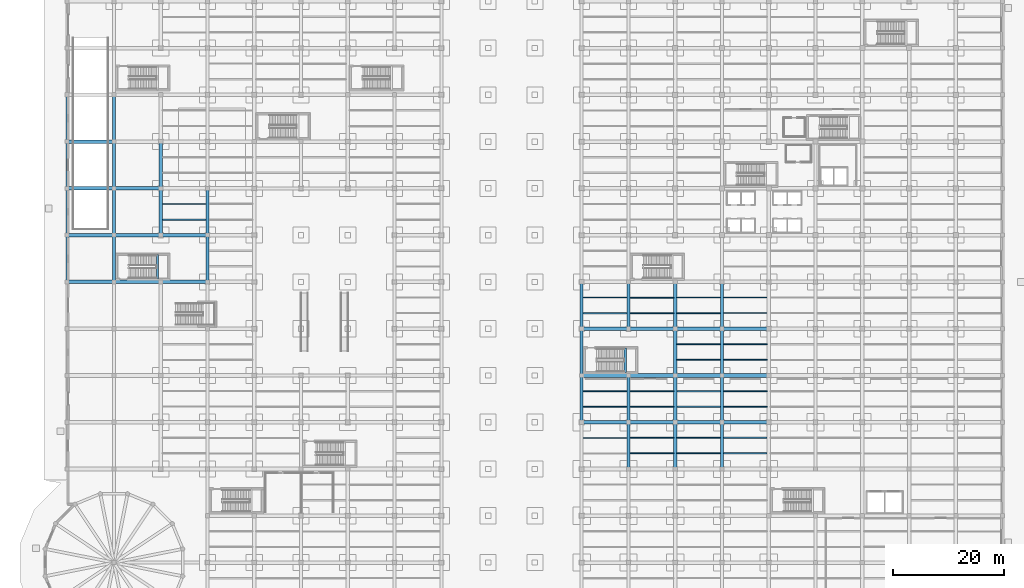
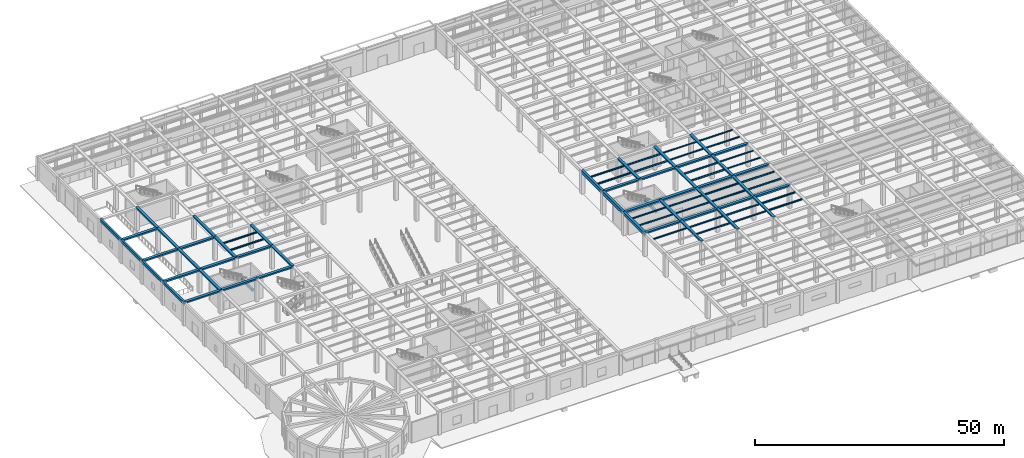
# One storey, part 7 of 43: 78 beams.
"""IFC4 building model written with IfcOpenShell, lengths in metres."""

from ifc_helpers import new_model, si_unit, direction, frame, origin, origin_2d, place, context, subcontext, project, spatial, rectangle, i_section, extrude, material, material_profile, profile_set, type_object, element, save


model = new_model("IFC4")

# Units and contexts
model_context = context("Model", 3, precision=1e-05, world=origin(), true_north=direction((0.0, 1.0)))
body_context = subcontext(model_context, "Body", "Model", "MODEL_VIEW")
ifc_project = project(units=[si_unit("LENGTHUNIT", "METRE"), si_unit("AREAUNIT", "SQUARE_METRE"), si_unit("VOLUMEUNIT", "CUBIC_METRE"), si_unit("PLANEANGLEUNIT", "RADIAN"), si_unit("MASSUNIT", "GRAM", prefix="KILO")], contexts=[model_context])

# Site, building, storey
site_placement = place(None, origin())
site = spatial("IfcSite", under=ifc_project, at=site_placement, CompositionType="ELEMENT")
building_placement = place(site_placement, origin())
building = spatial("IfcBuilding", under=site, at=building_placement, Name="Almacenes y Pasaje Nevantli", CompositionType="ELEMENT")
storey_placement = place(building_placement, origin())
storey = spatial("IfcBuildingStorey", under=building, at=storey_placement, Name="L01", CompositionType="ELEMENT", Elevation=0.0)

# Beams
ifc_material_1 = material(Name="Concrete C35/45", Category="concrete")
ifc_material_profile_1 = material_profile(ifc_material_1, rectangle(XDim=0.39990234375, YDim=0.60009765625, at=origin_2d()), Name="RC-BM-400x600")
ifc_profile_set_1 = profile_set([ifc_material_profile_1], Name="Concrete C35/45")
beam_type_1 = type_object("IfcBeamType", Name="BM-RC-400x600", PredefinedType="SPANDREL", material=ifc_profile_set_1)
for number, where, z_axis, x_axis, name in (
    (1, (100.22998046875, 42.5, 2.5), (0.0, 1.0, 0.0), (-1.0, 0.0, 0.0), "L01 Stair ST-08 Half-Landing Support Beam"),
    (2, (16.22998046875, 59.300048828125, 2.5), (0.0, 1.0, 0.0), (-1.0, 0.0, 0.0), "L01 Stair ST-12 Half-Landing Support Beam"),
):
    element("IfcBeam", number, at=place(storey_placement, frame(where, z_axis=z_axis, x_axis=x_axis)), inside=storey, type_object=beam_type_1, Name=name, PredefinedType="SPANDREL", context=body_context, shape_type="SweptSolid", body=[
        extrude(rectangle(XDim=0.39990234375, YDim=0.60009765625, at=origin_2d()), origin(), (0.0, 0.0, 1.0), 4.449951171875),
    ])
ifc_material_2 = material(Name="Concrete C35/45", Category="concrete")
ifc_material_profile_2 = material_profile(ifc_material_2, rectangle(XDim=0.449951171875, YDim=0.699951171875, at=origin_2d()), Name="RC-BM-450x700")
ifc_profile_set_2 = profile_set([ifc_material_profile_2], Name="Concrete C35/45")
beam_type_2 = type_object("IfcBeamType", Name="BM-RC-450x700", PredefinedType="SPANDREL", material=ifc_profile_set_2)
beam_1_placement = place(storey_placement, frame((0.0, 58.800048828125, 5.35009765625), z_axis=(0.0, 1.0, 0.0), x_axis=(-1.0, 0.0, 0.0)))
element("IfcBeam", 3, at=beam_1_placement, inside=storey, type_object=beam_type_2, Name="L01 North-South Reinforced Concrete Beam #1456", PredefinedType="SPANDREL", context=body_context, shape_type="SweptSolid", body=[
    extrude(rectangle(XDim=0.449951171875, YDim=0.699951171875, at=origin_2d()), origin(), (0.0, 0.0, 1.0), 8.39990234375),
])
beam_2_placement = place(storey_placement, frame((0.0, 67.199951171875, 5.35009765625), z_axis=(0.0, 1.0, 0.0), x_axis=(-1.0, 0.0, 0.0)))
element("IfcBeam", 4, at=beam_2_placement, inside=storey, type_object=beam_type_2, Name="L01 North-South Reinforced Concrete Beam #1457", PredefinedType="SPANDREL", context=body_context, shape_type="SweptSolid", body=[
    extrude(rectangle(XDim=0.449951171875, YDim=0.699951171875, at=origin_2d()), origin(), (0.0, 0.0, 1.0), 8.400146484375),
])
for number, where, z_axis, x_axis, name in (
    (5, (0.0, 75.60009765625, 5.35009765625), (0.0, 1.0, 0.0), (-1.0, 0.0, 0.0), "L01 North-South Reinforced Concrete Beam #1458"),
    (6, (0.0, 84.0, 5.35009765625), (0.0, 1.0, 0.0), (-1.0, 0.0, 0.0), "L01 North-South Reinforced Concrete Beam #1459"),
):
    element("IfcBeam", number, at=place(storey_placement, frame(where, z_axis=z_axis, x_axis=x_axis)), inside=storey, type_object=beam_type_2, Name=name, PredefinedType="SPANDREL", context=body_context, shape_type="SweptSolid", body=[
        extrude(rectangle(XDim=0.449951171875, YDim=0.699951171875, at=origin_2d()), origin(), (0.0, 0.0, 1.0), 8.39990234375),
    ])
ifc_material_3 = material(Name="Concrete C35/45", Category="concrete")
ifc_material_profile_3 = material_profile(ifc_material_3, rectangle(XDim=0.550048828125, YDim=0.800048828125, at=origin_2d()), Name="RC-BM-550x800")
ifc_profile_set_3 = profile_set([ifc_material_profile_3], Name="Concrete C35/45")
beam_type_3 = type_object("IfcBeamType", Name="BM-RC-550x800", PredefinedType="BEAM", material=ifc_profile_set_3)
for number, where, z_axis, x_axis, name in (
    (7, (92.39990234375, 33.60009765625, 5.300048828125), (0.0, 1.0, 0.0), (-1.0, 0.0, 0.0), "L01 North-South Reinforced Concrete Beam #1559"),
    (8, (92.39990234375, 42.0, 5.300048828125), (0.0, 1.0, 0.0), (-1.0, 0.0, 0.0), "L01 North-South Reinforced Concrete Beam #1560"),
):
    element("IfcBeam", number, at=place(storey_placement, frame(where, z_axis=z_axis, x_axis=x_axis)), inside=storey, type_object=beam_type_3, Name=name, PredefinedType="BEAM", context=body_context, shape_type="SweptSolid", body=[
        extrude(rectangle(XDim=0.550048828125, YDim=0.800048828125, at=origin_2d()), origin(), (0.0, 0.0, 1.0), 8.39990234375),
    ])
beam_3_placement = place(storey_placement, frame((92.39990234375, 50.39990234375, 5.300048828125), z_axis=(0.0, 1.0, 0.0), x_axis=(-1.0, 0.0, 0.0)))
element("IfcBeam", 9, at=beam_3_placement, inside=storey, type_object=beam_type_3, Name="L01 North-South Reinforced Concrete Beam #1561", PredefinedType="BEAM", context=body_context, shape_type="SweptSolid", body=[
    extrude(rectangle(XDim=0.550048828125, YDim=0.800048828125, at=origin_2d()), origin(), (0.0, 0.0, 1.0), 8.400146484375),
])
ifc_material_4 = material(Name="Concrete C35/45", Category="concrete")
ifc_material_profile_4 = material_profile(ifc_material_4, rectangle(XDim=0.60009765625, YDim=0.320068359375, at=origin_2d()), Name="RC-BM-600x320")
ifc_profile_set_4 = profile_set([ifc_material_profile_4], Name="Concrete C35/45")
beam_type_4 = type_object("IfcBeamType", Name="BM-RC-600x320", PredefinedType="BEAM", material=ifc_profile_set_4)
beam_4_placement = place(storey_placement, frame((8.39990234375, 67.199951171875, 5.5400390625), z_axis=(0.0, 1.0, 0.0), x_axis=(-1.0, 0.0, 0.0)))
element("IfcBeam", 10, at=beam_4_placement, inside=storey, type_object=beam_type_4, Name="L01 North-South Reinforced Concrete Beam #1468", PredefinedType="BEAM", context=body_context, shape_type="SweptSolid", body=[
    extrude(rectangle(XDim=0.60009765625, YDim=0.320068359375, at=origin_2d()), origin(), (0.0, 0.0, 1.0), 8.400146484375),
])
for number, where, z_axis, x_axis, name in (
    (11, (8.39990234375, 84.0, 5.5400390625), (0.0, 1.0, 0.0), (-1.0, 0.0, 0.0), "L01 North-South Reinforced Concrete Beam #1470"),
    (12, (16.800048828125, 75.60009765625, 5.5400390625), (0.0, 1.0, 0.0), (-1.0, 0.0, 0.0), "L01 North-South Reinforced Concrete Beam #1479"),
):
    element("IfcBeam", number, at=place(storey_placement, frame(where, z_axis=z_axis, x_axis=x_axis)), inside=storey, type_object=beam_type_4, Name=name, PredefinedType="BEAM", context=body_context, shape_type="SweptSolid", body=[
        extrude(rectangle(XDim=0.60009765625, YDim=0.320068359375, at=origin_2d()), origin(), (0.0, 0.0, 1.0), 8.39990234375),
    ])
for number, where, z_axis, x_axis, name in (
    (13, (25.199951171875, 67.199951171875, 5.5400390625), (0.0, 1.0, 0.0), (-1.0, 0.0, 0.0), "L01 North-South Reinforced Concrete Beam #1491"),
    (14, (100.800048828125, 25.199951171875, 5.5400390625), (0.0, 1.0, 0.0), (-1.0, 0.0, 0.0), "L01 North-South Reinforced Concrete Beam #1572"),
):
    element("IfcBeam", number, at=place(storey_placement, frame(where, z_axis=z_axis, x_axis=x_axis)), inside=storey, type_object=beam_type_4, Name=name, PredefinedType="BEAM", context=body_context, shape_type="SweptSolid", body=[
        extrude(rectangle(XDim=0.60009765625, YDim=0.320068359375, at=origin_2d()), origin(), (0.0, 0.0, 1.0), 8.400146484375),
    ])
beam_5_placement = place(storey_placement, frame((109.199951171875, 33.60009765625, 5.5400390625), z_axis=(0.0, 1.0, 0.0), x_axis=(-1.0, 0.0, 0.0)))
element("IfcBeam", 15, at=beam_5_placement, inside=storey, type_object=beam_type_4, Name="L01 North-South Reinforced Concrete Beam #1586", PredefinedType="BEAM", context=body_context, shape_type="SweptSolid", body=[
    extrude(rectangle(XDim=0.60009765625, YDim=0.320068359375, at=origin_2d()), origin(), (0.0, 0.0, 1.0), 8.39990234375),
])
for number, where, z_axis, x_axis, name in (
    (16, (109.199951171875, 50.39990234375, 5.5400390625), (0.0, 1.0, 0.0), (-1.0, 0.0, 0.0), "L01 North-South Reinforced Concrete Beam #1588"),
    (17, (117.60009765625, 25.199951171875, 5.5400390625), (0.0, 1.0, 0.0), (-1.0, 0.0, 0.0), "L01 North-South Reinforced Concrete Beam #1598"),
):
    element("IfcBeam", number, at=place(storey_placement, frame(where, z_axis=z_axis, x_axis=x_axis)), inside=storey, type_object=beam_type_4, Name=name, PredefinedType="BEAM", context=body_context, shape_type="SweptSolid", body=[
        extrude(rectangle(XDim=0.60009765625, YDim=0.320068359375, at=origin_2d()), origin(), (0.0, 0.0, 1.0), 8.400146484375),
    ])
beam_6_placement = place(storey_placement, frame((117.60009765625, 42.0, 5.5400390625), z_axis=(0.0, 1.0, 0.0), x_axis=(-1.0, 0.0, 0.0)))
element("IfcBeam", 18, at=beam_6_placement, inside=storey, type_object=beam_type_4, Name="L01 North-South Reinforced Concrete Beam #1600", PredefinedType="BEAM", context=body_context, shape_type="SweptSolid", body=[
    extrude(rectangle(XDim=0.60009765625, YDim=0.320068359375, at=origin_2d()), origin(), (0.0, 0.0, 1.0), 8.39990234375),
])
ifc_material_5 = material(Name="Concrete C35/45", Category="concrete")
ifc_material_profile_5 = material_profile(ifc_material_5, rectangle(XDim=0.60009765625, YDim=0.340087890625, at=origin_2d()), Name="RC-BM-600x340")
ifc_profile_set_5 = profile_set([ifc_material_profile_5], Name="Concrete C35/45")
beam_type_5 = type_object("IfcBeamType", Name="BM-RC-600x340", PredefinedType="BEAM", material=ifc_profile_set_5)
for number, where, z_axis, x_axis, name in (
    (19, (8.39990234375, 58.800048828125, 5.530029296875), (0.0, 1.0, 0.0), (-1.0, 0.0, 0.0), "L01 North-South Reinforced Concrete Beam #1467"),
    (20, (8.39990234375, 75.60009765625, 5.530029296875), (0.0, 1.0, 0.0), (-1.0, 0.0, 0.0), "L01 North-South Reinforced Concrete Beam #1469"),
):
    element("IfcBeam", number, at=place(storey_placement, frame(where, z_axis=z_axis, x_axis=x_axis)), inside=storey, type_object=beam_type_5, Name=name, PredefinedType="BEAM", context=body_context, shape_type="SweptSolid", body=[
        extrude(rectangle(XDim=0.60009765625, YDim=0.340087890625, at=origin_2d()), origin(), (0.0, 0.0, 1.0), 8.39990234375),
    ])
beam_7_placement = place(storey_placement, frame((16.800048828125, 67.199951171875, 5.530029296875), z_axis=(0.0, 1.0, 0.0), x_axis=(-1.0, 0.0, 0.0)))
element("IfcBeam", 21, at=beam_7_placement, inside=storey, type_object=beam_type_5, Name="L01 North-South Reinforced Concrete Beam #1478", PredefinedType="BEAM", context=body_context, shape_type="SweptSolid", body=[
    extrude(rectangle(XDim=0.60009765625, YDim=0.340087890625, at=origin_2d()), origin(), (0.0, 0.0, 1.0), 8.400146484375),
])
for number, where, z_axis, x_axis, name in (
    (22, (25.199951171875, 58.800048828125, 5.530029296875), (0.0, 1.0, 0.0), (-1.0, 0.0, 0.0), "L01 North-South Reinforced Concrete Beam #1490"),
    (23, (100.800048828125, 33.60009765625, 5.530029296875), (0.0, 1.0, 0.0), (-1.0, 0.0, 0.0), "L01 North-South Reinforced Concrete Beam #1573"),
):
    element("IfcBeam", number, at=place(storey_placement, frame(where, z_axis=z_axis, x_axis=x_axis)), inside=storey, type_object=beam_type_5, Name=name, PredefinedType="BEAM", context=body_context, shape_type="SweptSolid", body=[
        extrude(rectangle(XDim=0.60009765625, YDim=0.340087890625, at=origin_2d()), origin(), (0.0, 0.0, 1.0), 8.39990234375),
    ])
for number, where, z_axis, x_axis, name in (
    (24, (100.800048828125, 50.39990234375, 5.530029296875), (0.0, 1.0, 0.0), (-1.0, 0.0, 0.0), "L01 North-South Reinforced Concrete Beam #1574"),
    (25, (109.199951171875, 25.199951171875, 5.530029296875), (0.0, 1.0, 0.0), (-1.0, 0.0, 0.0), "L01 North-South Reinforced Concrete Beam #1585"),
):
    element("IfcBeam", number, at=place(storey_placement, frame(where, z_axis=z_axis, x_axis=x_axis)), inside=storey, type_object=beam_type_5, Name=name, PredefinedType="BEAM", context=body_context, shape_type="SweptSolid", body=[
        extrude(rectangle(XDim=0.60009765625, YDim=0.340087890625, at=origin_2d()), origin(), (0.0, 0.0, 1.0), 8.400146484375),
    ])
for number, where, z_axis, x_axis, name in (
    (26, (109.199951171875, 42.0, 5.530029296875), (0.0, 1.0, 0.0), (-1.0, 0.0, 0.0), "L01 North-South Reinforced Concrete Beam #1587"),
    (27, (117.60009765625, 33.60009765625, 5.530029296875), (0.0, 1.0, 0.0), (-1.0, 0.0, 0.0), "L01 North-South Reinforced Concrete Beam #1599"),
):
    element("IfcBeam", number, at=place(storey_placement, frame(where, z_axis=z_axis, x_axis=x_axis)), inside=storey, type_object=beam_type_5, Name=name, PredefinedType="BEAM", context=body_context, shape_type="SweptSolid", body=[
        extrude(rectangle(XDim=0.60009765625, YDim=0.340087890625, at=origin_2d()), origin(), (0.0, 0.0, 1.0), 8.39990234375),
    ])
beam_8_placement = place(storey_placement, frame((117.60009765625, 50.39990234375, 5.530029296875), z_axis=(0.0, 1.0, 0.0), x_axis=(-1.0, 0.0, 0.0)))
element("IfcBeam", 28, at=beam_8_placement, inside=storey, type_object=beam_type_5, Name="L01 North-South Reinforced Concrete Beam #1601", PredefinedType="BEAM", context=body_context, shape_type="SweptSolid", body=[
    extrude(rectangle(XDim=0.60009765625, YDim=0.340087890625, at=origin_2d()), origin(), (0.0, 0.0, 1.0), 8.400146484375),
])
ifc_material_6 = material(Name="Concrete C35/45", Category="concrete")
ifc_material_profile_6 = material_profile(ifc_material_6, rectangle(XDim=0.64990234375, YDim=0.35009765625, at=origin_2d()), Name="RC-BM-650x350")
ifc_profile_set_6 = profile_set([ifc_material_profile_6], Name="Concrete C35/45")
beam_type_6 = type_object("IfcBeamType", Name="BM-RC-650x350", PredefinedType="BEAM", material=ifc_profile_set_6)
for number, where, z_axis, x_axis, name in (
    (29, (92.39990234375, 33.60009765625, 5.52490234375), (1.0, 0.0, 0.0), (0.0, 1.0, 0.0), "L01 East-West Reinforced Concrete Beam #1279"),
    (30, (109.199951171875, 33.60009765625, 5.52490234375), (1.0, 0.0, 0.0), (0.0, 1.0, 0.0), "L01 East-West Reinforced Concrete Beam #1281"),
):
    element("IfcBeam", number, at=place(storey_placement, frame(where, z_axis=z_axis, x_axis=x_axis)), inside=storey, type_object=beam_type_6, Name=name, PredefinedType="BEAM", context=body_context, shape_type="SweptSolid", body=[
        extrude(rectangle(XDim=0.64990234375, YDim=0.35009765625, at=origin_2d()), origin(), (0.0, 0.0, 1.0), 8.400146484375),
    ])
for number, where, z_axis, x_axis, name in (
    (31, (100.800048828125, 42.0, 5.52490234375), (1.0, 0.0, 0.0), (0.0, 1.0, 0.0), "L01 East-West Reinforced Concrete Beam #1297"),
    (32, (117.60009765625, 42.0, 5.52490234375), (1.0, 0.0, 0.0), (0.0, 1.0, 0.0), "L01 East-West Reinforced Concrete Beam #1299"),
):
    element("IfcBeam", number, at=place(storey_placement, frame(where, z_axis=z_axis, x_axis=x_axis)), inside=storey, type_object=beam_type_6, Name=name, PredefinedType="BEAM", context=body_context, shape_type="SweptSolid", body=[
        extrude(rectangle(XDim=0.64990234375, YDim=0.35009765625, at=origin_2d()), origin(), (0.0, 0.0, 1.0), 8.39990234375),
    ])
for number, where, z_axis, x_axis, name in (
    (33, (92.39990234375, 50.39990234375, 5.52490234375), (1.0, 0.0, 0.0), (0.0, 1.0, 0.0), "L01 East-West Reinforced Concrete Beam #1310"),
    (34, (109.199951171875, 50.39990234375, 5.52490234375), (1.0, 0.0, 0.0), (0.0, 1.0, 0.0), "L01 East-West Reinforced Concrete Beam #1312"),
):
    element("IfcBeam", number, at=place(storey_placement, frame(where, z_axis=z_axis, x_axis=x_axis)), inside=storey, type_object=beam_type_6, Name=name, PredefinedType="BEAM", context=body_context, shape_type="SweptSolid", body=[
        extrude(rectangle(XDim=0.64990234375, YDim=0.35009765625, at=origin_2d()), origin(), (0.0, 0.0, 1.0), 8.400146484375),
    ])
for number, where, z_axis, x_axis, name in (
    (35, (0.0, 58.800048828125, 5.52490234375), (1.0, 0.0, 0.0), (0.0, 1.0, 0.0), "L01 East-West Reinforced Concrete Beam #1319"),
    (36, (16.800048828125, 58.800048828125, 5.52490234375), (1.0, 0.0, 0.0), (0.0, 1.0, 0.0), "L01 East-West Reinforced Concrete Beam #1321"),
):
    element("IfcBeam", number, at=place(storey_placement, frame(where, z_axis=z_axis, x_axis=x_axis)), inside=storey, type_object=beam_type_6, Name=name, PredefinedType="BEAM", context=body_context, shape_type="SweptSolid", body=[
        extrude(rectangle(XDim=0.64990234375, YDim=0.35009765625, at=origin_2d()), origin(), (0.0, 0.0, 1.0), 8.39990234375),
    ])
beam_9_placement = place(storey_placement, frame((8.39990234375, 67.199951171875, 5.52490234375), z_axis=(1.0, 0.0, 0.0), x_axis=(0.0, 1.0, 0.0)))
element("IfcBeam", 37, at=beam_9_placement, inside=storey, type_object=beam_type_6, Name="L01 East-West Reinforced Concrete Beam #1334", PredefinedType="BEAM", context=body_context, shape_type="SweptSolid", body=[
    extrude(rectangle(XDim=0.64990234375, YDim=0.35009765625, at=origin_2d()), origin(), (0.0, 0.0, 1.0), 8.400146484375),
])
beam_10_placement = place(storey_placement, frame((0.0, 75.60009765625, 5.52490234375), z_axis=(1.0, 0.0, 0.0), x_axis=(0.0, 1.0, 0.0)))
element("IfcBeam", 38, at=beam_10_placement, inside=storey, type_object=beam_type_6, Name="L01 East-West Reinforced Concrete Beam #1347", PredefinedType="BEAM", context=body_context, shape_type="SweptSolid", body=[
    extrude(rectangle(XDim=0.64990234375, YDim=0.35009765625, at=origin_2d()), origin(), (0.0, 0.0, 1.0), 8.39990234375),
])
ifc_material_7 = material(Name="Concrete C35/45", Category="concrete")
ifc_material_profile_7 = material_profile(ifc_material_7, rectangle(XDim=0.64990234375, YDim=0.3798828125, at=origin_2d()), Name="RC-BM-650x380")
ifc_profile_set_7 = profile_set([ifc_material_profile_7], Name="Concrete C35/45")
beam_type_7 = type_object("IfcBeamType", Name="BM-RC-650x380", PredefinedType="BEAM", material=ifc_profile_set_7)
for number, where, z_axis, x_axis, name in (
    (39, (100.800048828125, 33.60009765625, 5.510009765625), (1.0, 0.0, 0.0), (0.0, 1.0, 0.0), "L01 East-West Reinforced Concrete Beam #1280"),
    (40, (117.60009765625, 33.60009765625, 5.510009765625), (1.0, 0.0, 0.0), (0.0, 1.0, 0.0), "L01 East-West Reinforced Concrete Beam #1282"),
):
    element("IfcBeam", number, at=place(storey_placement, frame(where, z_axis=z_axis, x_axis=x_axis)), inside=storey, type_object=beam_type_7, Name=name, PredefinedType="BEAM", context=body_context, shape_type="SweptSolid", body=[
        extrude(rectangle(XDim=0.64990234375, YDim=0.3798828125, at=origin_2d()), origin(), (0.0, 0.0, 1.0), 8.39990234375),
    ])
for number, where, z_axis, x_axis, name in (
    (41, (92.39990234375, 42.0, 5.510009765625), (1.0, 0.0, 0.0), (0.0, 1.0, 0.0), "L01 East-West Reinforced Concrete Beam #1296"),
    (42, (109.199951171875, 42.0, 5.510009765625), (1.0, 0.0, 0.0), (0.0, 1.0, 0.0), "L01 East-West Reinforced Concrete Beam #1298"),
):
    element("IfcBeam", number, at=place(storey_placement, frame(where, z_axis=z_axis, x_axis=x_axis)), inside=storey, type_object=beam_type_7, Name=name, PredefinedType="BEAM", context=body_context, shape_type="SweptSolid", body=[
        extrude(rectangle(XDim=0.64990234375, YDim=0.3798828125, at=origin_2d()), origin(), (0.0, 0.0, 1.0), 8.400146484375),
    ])
for number, where, z_axis, x_axis, name in (
    (43, (100.800048828125, 50.39990234375, 5.510009765625), (1.0, 0.0, 0.0), (0.0, 1.0, 0.0), "L01 East-West Reinforced Concrete Beam #1311"),
    (44, (117.60009765625, 50.39990234375, 5.510009765625), (1.0, 0.0, 0.0), (0.0, 1.0, 0.0), "L01 East-West Reinforced Concrete Beam #1313"),
):
    element("IfcBeam", number, at=place(storey_placement, frame(where, z_axis=z_axis, x_axis=x_axis)), inside=storey, type_object=beam_type_7, Name=name, PredefinedType="BEAM", context=body_context, shape_type="SweptSolid", body=[
        extrude(rectangle(XDim=0.64990234375, YDim=0.3798828125, at=origin_2d()), origin(), (0.0, 0.0, 1.0), 8.39990234375),
    ])
beam_11_placement = place(storey_placement, frame((8.39990234375, 58.800048828125, 5.510009765625), z_axis=(1.0, 0.0, 0.0), x_axis=(0.0, 1.0, 0.0)))
element("IfcBeam", 45, at=beam_11_placement, inside=storey, type_object=beam_type_7, Name="L01 East-West Reinforced Concrete Beam #1320", PredefinedType="BEAM", context=body_context, shape_type="SweptSolid", body=[
    extrude(rectangle(XDim=0.64990234375, YDim=0.3798828125, at=origin_2d()), origin(), (0.0, 0.0, 1.0), 8.400146484375),
])
for number, where, z_axis, x_axis, name in (
    (46, (0.0, 67.199951171875, 5.510009765625), (1.0, 0.0, 0.0), (0.0, 1.0, 0.0), "L01 East-West Reinforced Concrete Beam #1333"),
    (47, (16.800048828125, 67.199951171875, 5.510009765625), (1.0, 0.0, 0.0), (0.0, 1.0, 0.0), "L01 East-West Reinforced Concrete Beam #1335"),
):
    element("IfcBeam", number, at=place(storey_placement, frame(where, z_axis=z_axis, x_axis=x_axis)), inside=storey, type_object=beam_type_7, Name=name, PredefinedType="BEAM", context=body_context, shape_type="SweptSolid", body=[
        extrude(rectangle(XDim=0.64990234375, YDim=0.3798828125, at=origin_2d()), origin(), (0.0, 0.0, 1.0), 8.39990234375),
    ])
beam_12_placement = place(storey_placement, frame((8.39990234375, 75.60009765625, 5.510009765625), z_axis=(1.0, 0.0, 0.0), x_axis=(0.0, 1.0, 0.0)))
element("IfcBeam", 48, at=beam_12_placement, inside=storey, type_object=beam_type_7, Name="L01 East-West Reinforced Concrete Beam #1348", PredefinedType="BEAM", context=body_context, shape_type="SweptSolid", body=[
    extrude(rectangle(XDim=0.64990234375, YDim=0.3798828125, at=origin_2d()), origin(), (0.0, 0.0, 1.0), 8.400146484375),
])
beam_13_placement = place(storey_placement, frame((0.0, 84.0, 5.510009765625), z_axis=(1.0, 0.0, 0.0), x_axis=(0.0, 1.0, 0.0)))
element("IfcBeam", 49, at=beam_13_placement, inside=storey, type_object=beam_type_7, Name="L01 East-West Reinforced Concrete Beam #1364", PredefinedType="BEAM", context=body_context, shape_type="SweptSolid", body=[
    extrude(rectangle(XDim=0.64990234375, YDim=0.3798828125, at=origin_2d()), origin(), (0.0, 0.0, 1.0), 8.39990234375),
])
ifc_material_8 = material(Name="Steel ASTM A992", Category="steel")
ifc_material_profile_8 = material_profile(ifc_material_8, i_section(OverallWidth=0.1650390625, OverallDepth=0.306884765625, WebThickness=0.006591796875, FlangeThickness=0.01025390625, at=origin_2d()), Name="IR 305x44.6")
ifc_profile_set_8 = profile_set([ifc_material_profile_8], Name="Steel ASTM A992")
beam_type_8 = type_object("IfcBeamType", Name="BM-STL-IR-305x44p6", PredefinedType="JOIST", material=ifc_profile_set_8)
for number, where, z_axis, x_axis, name in (
    (50, (109.5, 53.199951171875, 5.53857421875), (1.0, 0.0, 0.0), (0.0, 1.0, 0.0), "L01 Secondary Steel Floor Joist #181"),
    (51, (109.5, 56.0, 5.53857421875), (1.0, 0.0, 0.0), (0.0, 1.0, 0.0), "L01 Secondary Steel Floor Joist #182"),
    (52, (117.89990234375, 44.800048828125, 5.53857421875), (1.0, 0.0, 0.0), (0.0, 1.0, 0.0), "L01 Secondary Steel Floor Joist #205"),
    (53, (117.89990234375, 47.60009765625, 5.53857421875), (1.0, 0.0, 0.0), (0.0, 1.0, 0.0), "L01 Secondary Steel Floor Joist #206"),
):
    element("IfcBeam", number, at=place(storey_placement, frame(where, z_axis=z_axis, x_axis=x_axis)), inside=storey, type_object=beam_type_8, Name=name, PredefinedType="JOIST", context=body_context, shape_type="SweptSolid", body=[
        extrude(i_section(OverallWidth=0.1650390625, OverallDepth=0.306884765625, WebThickness=0.006591796875, FlangeThickness=0.01025390625, at=origin_2d()), origin(), (0.0, 0.0, 1.0), 7.800048828125),
    ])
ifc_material_9 = material(Name="Steel ASTM A992", Category="steel")
ifc_material_profile_9 = material_profile(ifc_material_9, i_section(OverallWidth=0.202880859375, OverallDepth=0.304931640625, WebThickness=0.007568359375, FlangeThickness=0.01318359375, at=origin_2d()), Name="IR 305x59.5")
ifc_profile_set_9 = profile_set([ifc_material_profile_9], Name="Steel ASTM A992")
beam_type_9 = type_object("IfcBeamType", Name="BM-STL-IR-305x59p5", PredefinedType="JOIST", material=ifc_profile_set_9)
for number, where, z_axis, x_axis, name in (
    (54, (117.89990234375, 53.199951171875, 5.53955078125), (1.0, 0.0, 0.0), (0.0, 1.0, 0.0), "L01 Secondary Steel Floor Joist #207"),
    (55, (117.89990234375, 56.0, 5.53955078125), (1.0, 0.0, 0.0), (0.0, 1.0, 0.0), "L01 Secondary Steel Floor Joist #208"),
):
    element("IfcBeam", number, at=place(storey_placement, frame(where, z_axis=z_axis, x_axis=x_axis)), inside=storey, type_object=beam_type_9, Name=name, PredefinedType="JOIST", context=body_context, shape_type="SweptSolid", body=[
        extrude(i_section(OverallWidth=0.202880859375, OverallDepth=0.304931640625, WebThickness=0.007568359375, FlangeThickness=0.01318359375, at=origin_2d()), origin(), (0.0, 0.0, 1.0), 7.800048828125),
    ])
ifc_material_10 = material(Name="Steel ASTM A992", Category="steel")
ifc_material_profile_10 = material_profile(ifc_material_10, i_section(OverallWidth=0.205078125, OverallDepth=0.31005859375, WebThickness=0.009521484375, FlangeThickness=0.016357421875, at=origin_2d()), Name="IR 305x74.4")
ifc_profile_set_10 = profile_set([ifc_material_profile_10], Name="Steel ASTM A992")
beam_type_10 = type_object("IfcBeamType", Name="BM-STL-IR-305x74p4", PredefinedType="JOIST", material=ifc_profile_set_10)
beam_14_placement = place(storey_placement, frame((92.675048828125, 30.800048828125, 5.537109375), z_axis=(1.0, 0.0, 0.0), x_axis=(0.0, 1.0, 0.0)))
element("IfcBeam", 56, at=beam_14_placement, inside=storey, type_object=beam_type_10, Name="L01 Secondary Steel Floor Joist #126", PredefinedType="JOIST", context=body_context, shape_type="SweptSolid", body=[
    extrude(i_section(OverallWidth=0.205078125, OverallDepth=0.31005859375, WebThickness=0.009521484375, FlangeThickness=0.016357421875, at=origin_2d()), origin(), (0.0, 0.0, 1.0), 7.824951171875),
])
ifc_material_11 = material(Name="Steel ASTM A992", Category="steel")
ifc_material_profile_11 = material_profile(ifc_material_11, i_section(OverallWidth=0.173095703125, OverallDepth=0.35302734375, WebThickness=0.0078125, FlangeThickness=0.01318359375, at=origin_2d()), Name="IR 356x56.6")
ifc_profile_set_11 = profile_set([ifc_material_profile_11], Name="Steel ASTM A992")
beam_type_11 = type_object("IfcBeamType", Name="BM-STL-IR-356x56p6", PredefinedType="JOIST", material=ifc_profile_set_11)
for number, where, z_axis, x_axis, name in (
    (57, (92.675048828125, 36.39990234375, 5.515380859375), (1.0, 0.0, 0.0), (0.0, 1.0, 0.0), "L01 Secondary Steel Floor Joist #127"),
    (58, (92.675048828125, 39.199951171875, 5.515380859375), (1.0, 0.0, 0.0), (0.0, 1.0, 0.0), "L01 Secondary Steel Floor Joist #128"),
):
    element("IfcBeam", number, at=place(storey_placement, frame(where, z_axis=z_axis, x_axis=x_axis)), inside=storey, type_object=beam_type_11, Name=name, PredefinedType="JOIST", context=body_context, shape_type="SweptSolid", body=[
        extrude(i_section(OverallWidth=0.173095703125, OverallDepth=0.35302734375, WebThickness=0.0078125, FlangeThickness=0.01318359375, at=origin_2d()), origin(), (0.0, 0.0, 1.0), 7.824951171875),
    ])
for number, where, z_axis, x_axis, name in (
    (59, (101.10009765625, 28.0, 5.515380859375), (1.0, 0.0, 0.0), (0.0, 1.0, 0.0), "L01 Secondary Steel Floor Joist #151"),
    (60, (101.10009765625, 30.800048828125, 5.515380859375), (1.0, 0.0, 0.0), (0.0, 1.0, 0.0), "L01 Secondary Steel Floor Joist #152"),
):
    element("IfcBeam", number, at=place(storey_placement, frame(where, z_axis=z_axis, x_axis=x_axis)), inside=storey, type_object=beam_type_11, Name=name, PredefinedType="JOIST", context=body_context, shape_type="SweptSolid", body=[
        extrude(i_section(OverallWidth=0.173095703125, OverallDepth=0.35302734375, WebThickness=0.0078125, FlangeThickness=0.01318359375, at=origin_2d()), origin(), (0.0, 0.0, 1.0), 7.7998046875),
    ])
ifc_material_12 = material(Name="Steel ASTM A992", Category="steel")
ifc_material_profile_12 = material_profile(ifc_material_12, i_section(OverallWidth=0.173095703125, OverallDepth=0.364013671875, WebThickness=0.009033203125, FlangeThickness=0.015625, at=origin_2d()), Name="IR 356x67.0")
ifc_profile_set_12 = profile_set([ifc_material_profile_12], Name="Steel ASTM A992")
beam_type_12 = type_object("IfcBeamType", Name="BM-STL-IR-356x67p0", PredefinedType="JOIST", material=ifc_profile_set_12)
for number, where, z_axis, x_axis, name in (
    (61, (101.10009765625, 36.39990234375, 5.510009765625), (1.0, 0.0, 0.0), (0.0, 1.0, 0.0), "L01 Secondary Steel Floor Joist #153"),
    (62, (101.10009765625, 39.199951171875, 5.510009765625), (1.0, 0.0, 0.0), (0.0, 1.0, 0.0), "L01 Secondary Steel Floor Joist #154"),
):
    element("IfcBeam", number, at=place(storey_placement, frame(where, z_axis=z_axis, x_axis=x_axis)), inside=storey, type_object=beam_type_12, Name=name, PredefinedType="JOIST", context=body_context, shape_type="SweptSolid", body=[
        extrude(i_section(OverallWidth=0.173095703125, OverallDepth=0.364013671875, WebThickness=0.009033203125, FlangeThickness=0.015625, at=origin_2d()), origin(), (0.0, 0.0, 1.0), 7.7998046875),
    ])
for number, where, z_axis, x_axis, name in (
    (63, (109.5, 28.0, 5.510009765625), (1.0, 0.0, 0.0), (0.0, 1.0, 0.0), "L01 Secondary Steel Floor Joist #175"),
    (64, (109.5, 30.800048828125, 5.510009765625), (1.0, 0.0, 0.0), (0.0, 1.0, 0.0), "L01 Secondary Steel Floor Joist #176"),
):
    element("IfcBeam", number, at=place(storey_placement, frame(where, z_axis=z_axis, x_axis=x_axis)), inside=storey, type_object=beam_type_12, Name=name, PredefinedType="JOIST", context=body_context, shape_type="SweptSolid", body=[
        extrude(i_section(OverallWidth=0.173095703125, OverallDepth=0.364013671875, WebThickness=0.009033203125, FlangeThickness=0.015625, at=origin_2d()), origin(), (0.0, 0.0, 1.0), 7.800048828125),
    ])
ifc_material_13 = material(Name="Steel ASTM A992", Category="steel")
ifc_material_profile_13 = material_profile(ifc_material_13, i_section(OverallWidth=0.25390625, OverallDepth=0.35595703125, WebThickness=0.009521484375, FlangeThickness=0.016357421875, at=origin_2d()), Name="IR 356x79.0")
ifc_profile_set_13 = profile_set([ifc_material_profile_13], Name="Steel ASTM A992")
beam_type_13 = type_object("IfcBeamType", Name="BM-STL-IR-356x79p0", PredefinedType="JOIST", material=ifc_profile_set_13)
for number, where, z_axis, x_axis, name in (
    (65, (17.10009765625, 70.0, 5.513916015625), (1.0, 0.0, 0.0), (0.0, 1.0, 0.0), "L01 Secondary Steel Floor Joist #11"),
    (66, (17.10009765625, 72.800048828125, 5.513916015625), (1.0, 0.0, 0.0), (0.0, 1.0, 0.0), "L01 Secondary Steel Floor Joist #12"),
):
    element("IfcBeam", number, at=place(storey_placement, frame(where, z_axis=z_axis, x_axis=x_axis)), inside=storey, type_object=beam_type_13, Name=name, PredefinedType="JOIST", context=body_context, shape_type="SweptSolid", body=[
        extrude(i_section(OverallWidth=0.25390625, OverallDepth=0.35595703125, WebThickness=0.009521484375, FlangeThickness=0.016357421875, at=origin_2d()), origin(), (0.0, 0.0, 1.0), 7.7998046875),
    ])
for number, where, z_axis, x_axis, name in (
    (67, (92.675048828125, 53.199951171875, 5.513916015625), (1.0, 0.0, 0.0), (0.0, 1.0, 0.0), "L01 Secondary Steel Floor Joist #129"),
    (68, (92.675048828125, 56.0, 5.513916015625), (1.0, 0.0, 0.0), (0.0, 1.0, 0.0), "L01 Secondary Steel Floor Joist #130"),
):
    element("IfcBeam", number, at=place(storey_placement, frame(where, z_axis=z_axis, x_axis=x_axis)), inside=storey, type_object=beam_type_13, Name=name, PredefinedType="JOIST", context=body_context, shape_type="SweptSolid", body=[
        extrude(i_section(OverallWidth=0.25390625, OverallDepth=0.35595703125, WebThickness=0.009521484375, FlangeThickness=0.016357421875, at=origin_2d()), origin(), (0.0, 0.0, 1.0), 7.824951171875),
    ])
for number, where, z_axis, x_axis, name in (
    (69, (109.5, 36.39990234375, 5.513916015625), (1.0, 0.0, 0.0), (0.0, 1.0, 0.0), "L01 Secondary Steel Floor Joist #177"),
    (70, (109.5, 39.199951171875, 5.513916015625), (1.0, 0.0, 0.0), (0.0, 1.0, 0.0), "L01 Secondary Steel Floor Joist #178"),
    (71, (117.89990234375, 28.0, 5.513916015625), (1.0, 0.0, 0.0), (0.0, 1.0, 0.0), "L01 Secondary Steel Floor Joist #201"),
    (72, (117.89990234375, 30.800048828125, 5.513916015625), (1.0, 0.0, 0.0), (0.0, 1.0, 0.0), "L01 Secondary Steel Floor Joist #202"),
):
    element("IfcBeam", number, at=place(storey_placement, frame(where, z_axis=z_axis, x_axis=x_axis)), inside=storey, type_object=beam_type_13, Name=name, PredefinedType="JOIST", context=body_context, shape_type="SweptSolid", body=[
        extrude(i_section(OverallWidth=0.25390625, OverallDepth=0.35595703125, WebThickness=0.009521484375, FlangeThickness=0.016357421875, at=origin_2d()), origin(), (0.0, 0.0, 1.0), 7.800048828125),
    ])
ifc_material_14 = material(Name="Steel ASTM A992", Category="steel")
ifc_material_profile_14 = material_profile(ifc_material_14, i_section(OverallWidth=0.178955078125, OverallDepth=0.406005859375, WebThickness=0.0087890625, FlangeThickness=0.014404296875, at=origin_2d()), Name="IR 406x67.0")
ifc_profile_set_14 = profile_set([ifc_material_profile_14], Name="Steel ASTM A992")
beam_type_14 = type_object("IfcBeamType", Name="BM-STL-IR-406x67p0", PredefinedType="JOIST", material=ifc_profile_set_14)
for number, where, z_axis, x_axis, name in (
    (73, (101.10009765625, 53.199951171875, 5.489013671875), (1.0, 0.0, 0.0), (0.0, 1.0, 0.0), "L01 Secondary Steel Floor Joist #155"),
    (74, (101.10009765625, 56.0, 5.489013671875), (1.0, 0.0, 0.0), (0.0, 1.0, 0.0), "L01 Secondary Steel Floor Joist #156"),
):
    element("IfcBeam", number, at=place(storey_placement, frame(where, z_axis=z_axis, x_axis=x_axis)), inside=storey, type_object=beam_type_14, Name=name, PredefinedType="JOIST", context=body_context, shape_type="SweptSolid", body=[
        extrude(i_section(OverallWidth=0.178955078125, OverallDepth=0.406005859375, WebThickness=0.0087890625, FlangeThickness=0.014404296875, at=origin_2d()), origin(), (0.0, 0.0, 1.0), 7.7998046875),
    ])
for number, where, z_axis, x_axis, name in (
    (75, (109.5, 44.800048828125, 5.489013671875), (1.0, 0.0, 0.0), (0.0, 1.0, 0.0), "L01 Secondary Steel Floor Joist #179"),
    (76, (109.5, 47.60009765625, 5.489013671875), (1.0, 0.0, 0.0), (0.0, 1.0, 0.0), "L01 Secondary Steel Floor Joist #180"),
    (77, (117.89990234375, 36.39990234375, 5.489013671875), (1.0, 0.0, 0.0), (0.0, 1.0, 0.0), "L01 Secondary Steel Floor Joist #203"),
    (78, (117.89990234375, 39.199951171875, 5.489013671875), (1.0, 0.0, 0.0), (0.0, 1.0, 0.0), "L01 Secondary Steel Floor Joist #204"),
):
    element("IfcBeam", number, at=place(storey_placement, frame(where, z_axis=z_axis, x_axis=x_axis)), inside=storey, type_object=beam_type_14, Name=name, PredefinedType="JOIST", context=body_context, shape_type="SweptSolid", body=[
        extrude(i_section(OverallWidth=0.178955078125, OverallDepth=0.406005859375, WebThickness=0.0087890625, FlangeThickness=0.014404296875, at=origin_2d()), origin(), (0.0, 0.0, 1.0), 7.800048828125),
    ])

save(model, "model.ifc")
